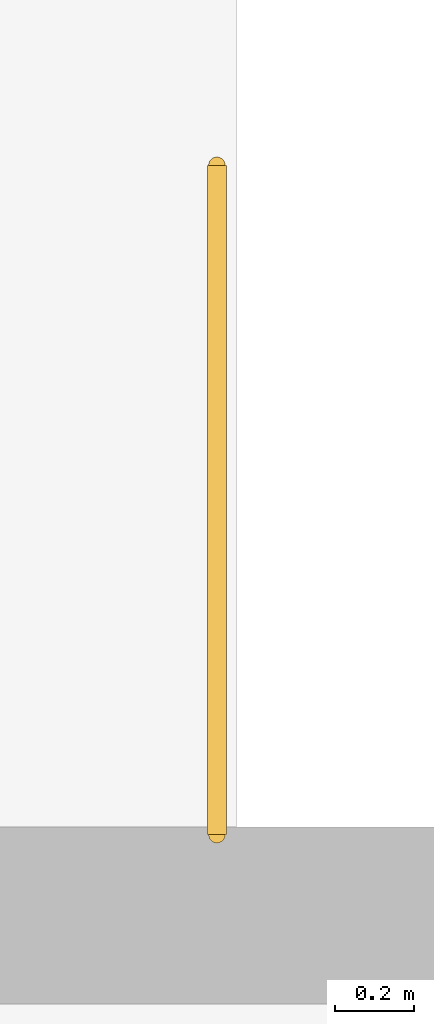
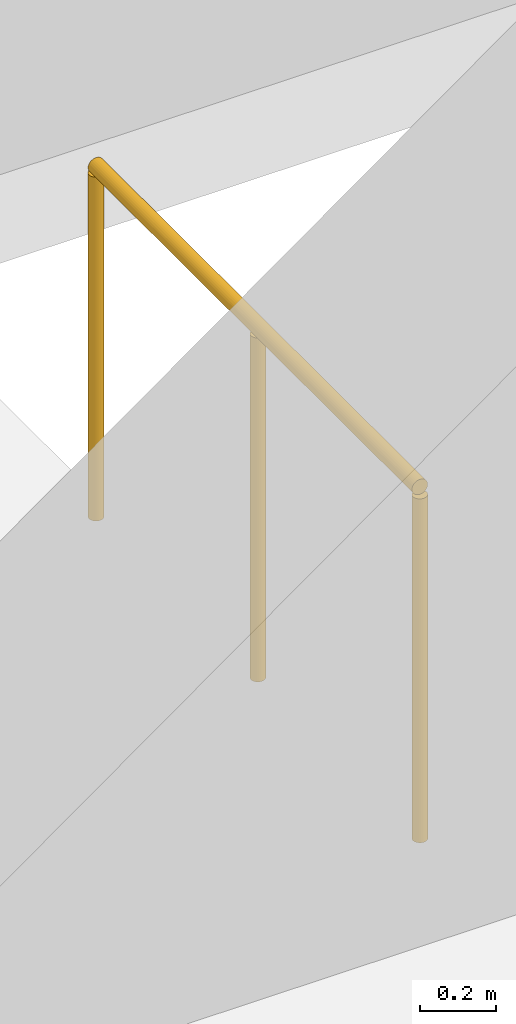
# One storey, part 23 of 25: 1 railing.
"""IFC4 building model written with IfcOpenShell, lengths in metres."""

import ifcopenshell
import ifcopenshell.guid

model = None  # the IFC model being written
_history = None  # IfcOwnerHistory: only IFC2X3 demands one
_inside = {}  # id of a spatial element -> (the spatial element, [elements in it])
_under = {}  # id of a project, library or spatial element -> (it, [spatial elements below it])
_declared = {}  # id of a project -> (the project, [libraries it declares])
_typed = {}  # id of a type object -> (the type object, [elements of that type])
_made_of = {}  # id of a material, layer set ... -> (it, [elements and type objects made of it])


def new_model(schema):
    """Start an empty IFC model of exactly this schema.

    Asked for "IFC4X3", IfcOpenShell would pick the latest addendum, in which some entities
    have other attributes; the version numbers below select the first issue.
    IFC2X3 requires an IfcOwnerHistory on every rooted entity: one is made here for all.
    """
    global model, _history
    if schema == "IFC4X3":
        model = ifcopenshell.file(schema_version=(4, 3, 0, 0))
    else:
        model = ifcopenshell.file(schema=schema)
    _inside.clear()
    _under.clear()
    _declared.clear()
    _typed.clear()
    _made_of.clear()
    _history = None
    if model.schema == "IFC2X3":
        org = make("IfcOrganization", Name="unknown")
        user = make(
            "IfcPersonAndOrganization",
            ThePerson=make("IfcPerson", FamilyName="unknown"),
            TheOrganization=org,
        )
        app = make(
            "IfcApplication",
            ApplicationDeveloper=org,
            Version="unknown",
            ApplicationFullName="unknown",
            ApplicationIdentifier="unknown",
        )
        _history = make(
            "IfcOwnerHistory",
            OwningUser=user,
            OwningApplication=app,
            ChangeAction="ADDED",
            CreationDate=0,
        )
    return model


def make(cls, **values):
    """One entity of the class cls with the attributes given. An attribute that is None is left unset."""
    return model.create_entity(
        cls, **{name: value for name, value in values.items() if value is not None}
    )


def rooted(cls, **values):
    """An entity with a GlobalId (a new one), such as an element, a storey or a relation."""
    return make(cls, GlobalId=ifcopenshell.guid.new(), OwnerHistory=_history, **values)


def si_unit(unit_type, name, prefix=None):
    """IfcSIUnit, for example si_unit("LENGTHUNIT", "METRE", prefix="MILLI")."""
    return make("IfcSIUnit", UnitType=unit_type, Prefix=prefix, Name=name)


def derived_unit(unit_type, elements):
    """IfcDerivedUnit: a product of units, each with its exponent."""
    return make(
        "IfcDerivedUnit",
        Elements=[
            make("IfcDerivedUnitElement", Unit=unit, Exponent=power)
            for unit, power in elements
        ],
        UnitType=unit_type,
    )


def assignment(units):
    """IfcUnitAssignment: the units of a project."""
    return None if units is None else make("IfcUnitAssignment", Units=units)


def point(xyz):
    """IfcCartesianPoint."""
    return None if xyz is None else make("IfcCartesianPoint", Coordinates=xyz)


def direction(xyz):
    """IfcDirection."""
    return None if xyz is None else make("IfcDirection", DirectionRatios=xyz)


def frame(location, z_axis=None, x_axis=None):
    """IfcAxis2Placement3D, a coordinate frame: its origin and axes. An axis left out is left unset."""
    return make(
        "IfcAxis2Placement3D",
        Location=point(location),
        Axis=direction(z_axis),
        RefDirection=direction(x_axis),
    )


def frame_2d(location, x_axis=None):
    """IfcAxis2Placement2D, a coordinate frame in the plane: its origin and x axis."""
    return make(
        "IfcAxis2Placement2D", Location=point(location), RefDirection=direction(x_axis)
    )


def origin():
    """The frame at (0, 0, 0) with its axes left unset."""
    return frame((0.0, 0.0, 0.0))


def origin_2d():
    """The frame at (0, 0) in the plane with its x axis left unset."""
    return frame_2d((0.0, 0.0))


def place(relative_to, where):
    """IfcLocalPlacement: puts the frame where relative to a parent placement (None: the world)."""
    return make(
        "IfcLocalPlacement", PlacementRelTo=relative_to, RelativePlacement=where
    )


def context(
    kind, dimensions, precision=None, world=None, true_north=None, identifier=None
):
    """IfcGeometricRepresentationContext, for example the 3D "Model" context."""
    return make(
        "IfcGeometricRepresentationContext",
        ContextIdentifier=identifier,
        ContextType=kind,
        CoordinateSpaceDimension=dimensions,
        Precision=precision,
        WorldCoordinateSystem=world,
        TrueNorth=true_north,
    )


def subcontext(parent, identifier, kind, view, scale=None):
    """IfcGeometricRepresentationSubContext, for example "Body" below "Model"."""
    return make(
        "IfcGeometricRepresentationSubContext",
        ContextIdentifier=identifier,
        ContextType=kind,
        ParentContext=parent,
        TargetScale=scale,
        TargetView=view,
    )


def project(units=None, contexts=None):
    """IfcProject with its units and contexts."""
    return rooted(
        "IfcProject",
        Name="project",
        RepresentationContexts=contexts,
        UnitsInContext=assignment(units),
    )


def spatial(cls, under=None, at=None, **own):
    """A site, building, storey or space (cls), placed at a placement, below another one or the project."""
    s = rooted(cls, ObjectPlacement=at, **own)
    if under is not None:
        _under.setdefault(under.id(), (under, []))[1].append(s)
    return s


def profile(cls, at=None, kind="AREA", **sizes):
    """A parametric profile (cls). Its sizes go by their IFC names, for example OverallWidth=200.0."""
    return make(cls, ProfileType=kind, Position=at, **sizes)


def circle(**sizes):
    """IfcCircleProfileDef."""
    return profile("IfcCircleProfileDef", **sizes)


def extrude(swept, where, along, depth):
    """IfcExtrudedAreaSolid: the profile swept, set in the frame where, extruded along a direction by depth."""
    return make(
        "IfcExtrudedAreaSolid",
        SweptArea=swept,
        Position=where,
        ExtrudedDirection=direction(along),
        Depth=depth,
    )


def shape(context_of_items, identifier, shape_type, items):
    """IfcShapeRepresentation: the items that make up one representation, for example the "Body"."""
    return make(
        "IfcShapeRepresentation",
        ContextOfItems=context_of_items,
        RepresentationIdentifier=identifier,
        RepresentationType=shape_type,
        Items=items,
    )


def material(Name=None, Category=None):
    """IfcMaterial."""
    return make("IfcMaterial", Name=Name, Category=Category)


def made_of(thing, what):
    """Note that an element or type object is made of a material, layer set ...; save() writes the relation."""
    if what is not None:
        _made_of.setdefault(what.id(), (what, []))[1].append(thing)
    return thing


def type_object(cls, material=None, **own):
    """A type object (cls), such as IfcWallType, which elements share."""
    return made_of(rooted(cls, **own), material)


def element(
    cls,
    number,
    at=None,
    inside=None,
    cuts=None,
    type_object=None,
    material=None,
    context=None,
    identifier="Body",
    shape_type=None,
    held_by="IfcProductDefinitionShape",
    body=None,
    shapes=None,
    **own,
):
    """One element of the class cls, such as IfcWall. Its Tag is "e" and its number.

    at: its placement. inside: the storey or other place that contains it. cuts: it is an
    opening in that element (IfcRelVoidsElement). A single representation is given by context,
    identifier, shape_type and body (its items); several are given by shapes. held_by: the class
    of the entity that holds the representations. save() writes the other relations.
    """
    e = rooted(cls, Tag="e%d" % number, ObjectPlacement=at, **own)
    if body is not None:
        shapes = [shape(context, identifier, shape_type, body)]
    if shapes is not None:
        e.Representation = make(held_by, Representations=shapes)
    if inside is not None:
        _inside.setdefault(inside.id(), (inside, []))[1].append(e)
    if cuts is not None:
        rooted(
            "IfcRelVoidsElement", RelatingBuildingElement=cuts, RelatedOpeningElement=e
        )
    if type_object is not None:
        _typed.setdefault(type_object.id(), (type_object, []))[1].append(e)
    return made_of(e, material)


def aggregate(whole, parts):
    """IfcRelAggregates: a whole, such as a stair, and the parts it consists of."""
    return rooted("IfcRelAggregates", RelatingObject=whole, RelatedObjects=parts)


def save(model, path):
    """Write the relations noted so far, then the file.

    IfcRelAggregates (storeys below a building ...), IfcRelContainedInSpatialStructure (elements
    in a storey), IfcRelDefinesByType, IfcRelAssociatesMaterial and IfcRelDeclares: one each for
    every whole, place, type object, material and project.
    """
    for whole, parts in _under.values():
        aggregate(whole, parts)
    for where, things in _inside.values():
        rooted(
            "IfcRelContainedInSpatialStructure",
            RelatedElements=things,
            RelatingStructure=where,
        )
    for kind, things in _typed.values():
        rooted("IfcRelDefinesByType", RelatedObjects=things, RelatingType=kind)
    for what, things in _made_of.values():
        rooted("IfcRelAssociatesMaterial", RelatedObjects=things, RelatingMaterial=what)
    for by, libraries in _declared.values():
        rooted("IfcRelDeclares", RelatingContext=by, RelatedDefinitions=libraries)
    model.write(path)


model = new_model("IFC4")

# Units and contexts
model_context = context("Model", 3, precision=1e-05, world=origin(), true_north=direction((0.0, 1.0)))
body_context = subcontext(model_context, "Body", "Model", "MODEL_VIEW")
ifc_project = project(units=[si_unit("LENGTHUNIT", "METRE"), si_unit("AREAUNIT", "SQUARE_METRE"), si_unit("VOLUMEUNIT", "CUBIC_METRE"), si_unit("PLANEANGLEUNIT", "RADIAN"), si_unit("MASSUNIT", "GRAM", prefix="KILO"), derived_unit("THERMALTRANSMITTANCEUNIT", [(si_unit("POWERUNIT", "WATT"), 1), (si_unit("LENGTHUNIT", "METRE"), -2), (si_unit("THERMODYNAMICTEMPERATUREUNIT", "KELVIN"), -1)])], contexts=[model_context])

# Site, building, storey
site_placement = place(None, origin())
site = spatial("IfcSite", under=ifc_project, at=site_placement, CompositionType="ELEMENT")
building_placement = place(site_placement, origin())
building = spatial("IfcBuilding", under=site, at=building_placement, Name="Skarnbrae Concourse Arena and Tower", CompositionType="ELEMENT")
storey_placement = place(building_placement, origin())
storey = spatial("IfcBuildingStorey", under=building, at=storey_placement, Name="L00", CompositionType="ELEMENT", Elevation=0.0)

# Railing
ifc_material = material(Name="Steel CSA G40.21 350W", Category="steel")
railing_type = type_object("IfcRailingType", Name="RAIL-STAIR-GUARD-1150", PredefinedType="GUARDRAIL", material=ifc_material)
railing_placement = place(storey_placement, frame((69.14990234375, 52.0, 0.0)))
element("IfcRailing", 1, at=railing_placement, inside=storey, type_object=railing_type, Name="L00 ST-B4 top well guard 1", PredefinedType="GUARDRAIL", context=body_context, shape_type="SweptSolid", body=[
    extrude(circle(Radius=0.02392578125, at=origin_2d()), frame((0.0, 0.0, 1.1259765625), z_axis=(0.0, 1.0, 0.0), x_axis=(-1.0, 0.0, 0.0)), (0.0, 0.0, 1.0), 1.699951171875),
    extrude(circle(Radius=0.02099609375, at=origin_2d()), origin(), (0.0, 0.0, 1.0), 1.101806640625),
    extrude(circle(Radius=0.02099609375, at=origin_2d()), frame((0.0, 0.85009765625, 0.0)), (0.0, 0.0, 1.0), 1.101806640625),
    extrude(circle(Radius=0.02099609375, at=origin_2d()), frame((0.0, 1.699951171875, 0.0)), (0.0, 0.0, 1.0), 1.101806640625),
])

save(model, "model.ifc")
